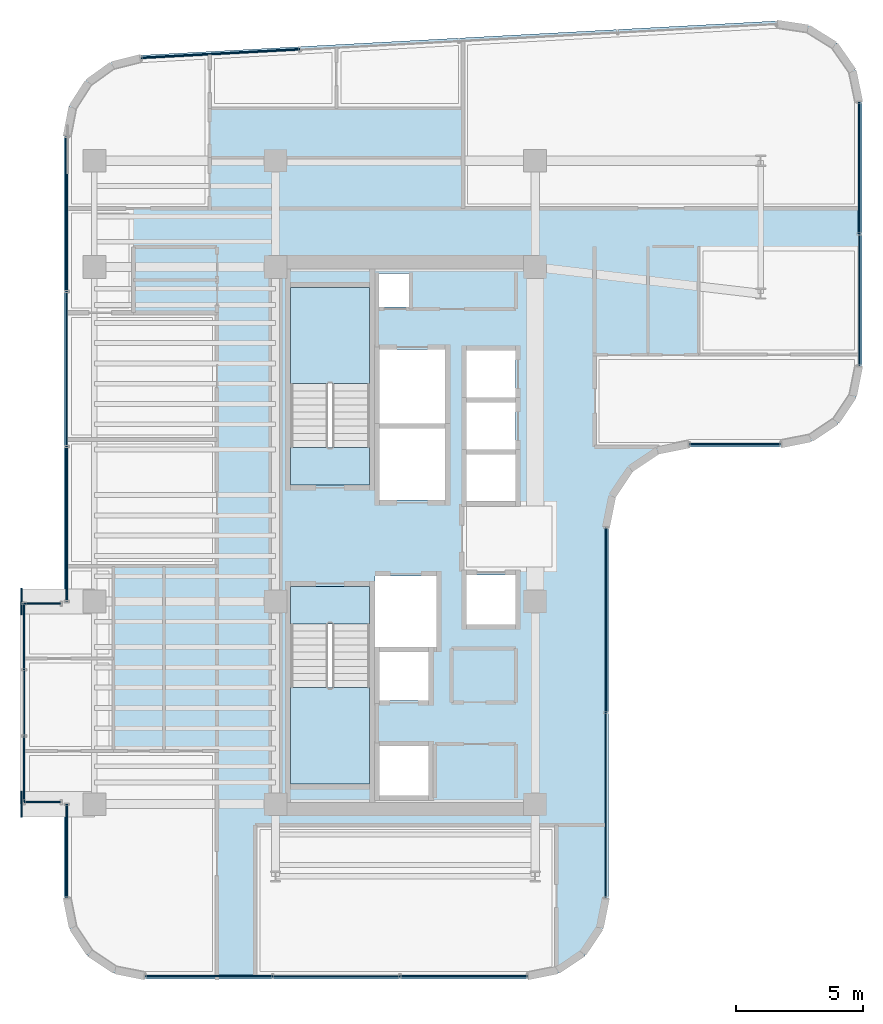
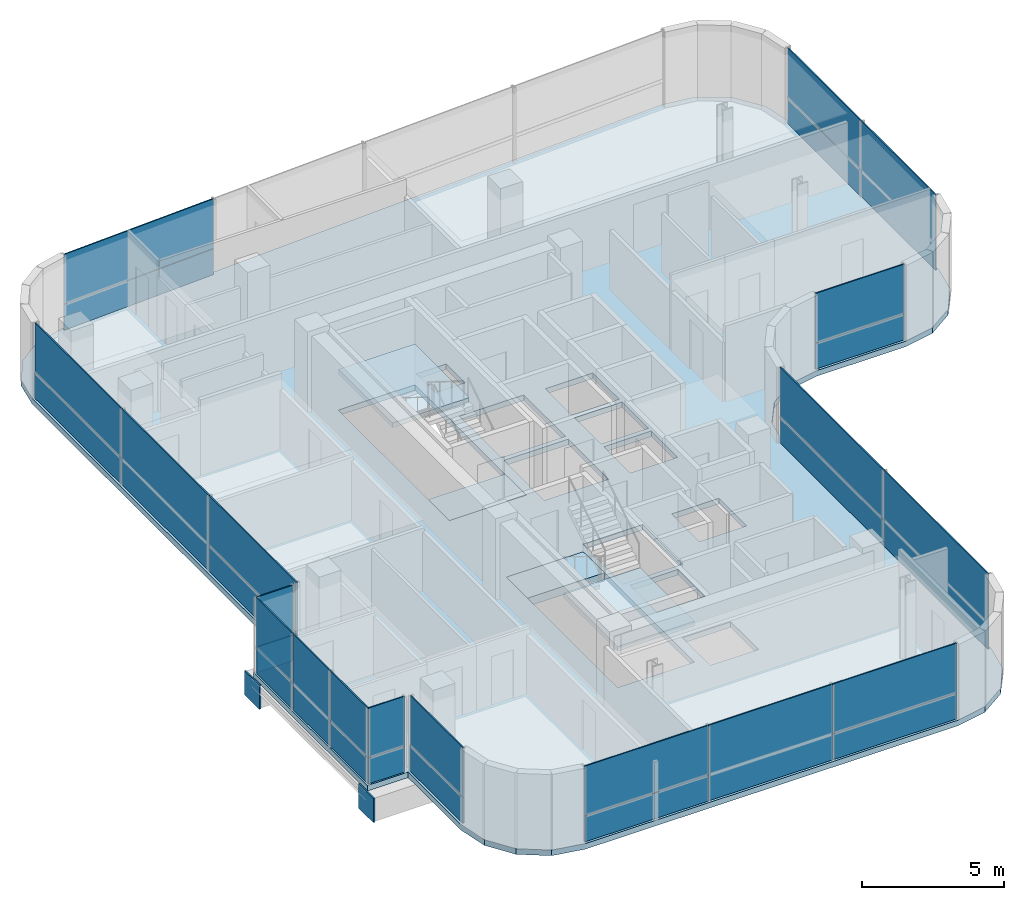
# One storey, part 17 of 24: 33 plates, 5 slabs, 12 elements without a shape of their own.
"""IFC4 building model written with IfcOpenShell, lengths in metres."""

from ifc_helpers import new_model, si_unit, direction, frame, origin, origin_2d, place, context, subcontext, project, spatial, polyline, rectangle, outline, extrude, source, transform, mapped, material, layer, layer_set, type_object, element, aggregate, save


model = new_model("IFC4")

# Units and contexts
model_context = context("Model", 3, precision=1e-05, world=origin(), true_north=direction((0.0, 1.0)))
body_context = subcontext(model_context, "Body", "Model", "MODEL_VIEW")
ifc_project = project(units=[si_unit("LENGTHUNIT", "METRE"), si_unit("AREAUNIT", "SQUARE_METRE"), si_unit("VOLUMEUNIT", "CUBIC_METRE"), si_unit("PLANEANGLEUNIT", "RADIAN"), si_unit("MASSUNIT", "GRAM", prefix="KILO")], contexts=[model_context])

# Site, building, storey
site_placement = place(None, origin())
site = spatial("IfcSite", under=ifc_project, at=site_placement, CompositionType="ELEMENT")
building_placement = place(site_placement, origin())
building = spatial("IfcBuilding", under=site, at=building_placement, Name="Valdorenza Pilgrim Sanctuary Tower", CompositionType="ELEMENT")
storey_placement = place(building_placement, frame((0.0, 0.0, 205.5)))
storey = spatial("IfcBuildingStorey", under=building, at=storey_placement, Name="L52", CompositionType="ELEMENT", Elevation=205.5)

# Slab
ifc_material_1 = material(Name="Concrete C40/50", Category="concrete")
ifc_layer_1 = layer(ifc_material_1, 0.239990234375, Name="Concrete C40/50")
ifc_layer_set_1 = layer_set([ifc_layer_1], Name="Concrete C40/50")
slab_type_1 = type_object("IfcSlabType", Name="SLAB-FLR-220", PredefinedType="FLOOR", material=ifc_layer_set_1)
slab_1_placement = place(storey_placement, frame((0.0, 0.0, -0.239990234375)))
element("IfcSlab", 1, at=slab_1_placement, inside=storey, type_object=slab_type_1, Name="L52 Structural Floor Slab 1", PredefinedType="FLOOR", context=body_context, shape_type="SweptSolid", body=[
    extrude(outline(polyline([(-32.64990234375, -2.60009765625), (-31.0, -2.60009765625), (-31.0, 15.76806640625), (-30.772705078125, 16.95263671875), (-30.122802734375, 17.968994140625), (-29.14306640625, 18.672607421875), (-27.972412109375, 18.96337890625), (-2.872314453125, 20.318115234375), (-1.595947265625, 20.126220703125), (-0.4990234375, 19.445556640625), (0.239501953125, 18.386962890625), (0.5, 17.12255859375), (0.5, 6.699951171875), (0.25634765625, 5.475341796875), (-0.437255859375, 4.437255859375), (-1.475341796875, 3.74365234375), (-2.699951171875, 3.5), (-6.300048828125, 3.5), (-7.524658203125, 3.25634765625), (-8.562744140625, 2.562744140625), (-9.25634765625, 1.524658203125), (-9.5, 0.300048828125), (-9.5, -14.300048828125), (-9.74365234375, -15.524658203125), (-10.437255859375, -16.562744140625), (-11.475341796875, -17.25634765625), (-12.699951171875, -17.5), (-27.800048828125, -17.5), (-29.024658203125, -17.25634765625), (-30.062744140625, -16.562744140625), (-30.75634765625, -15.524658203125), (-31.0, -14.300048828125), (-31.0, -10.60009765625), (-32.64990234375, -10.60009765625), (-32.64990234375, -2.60009765625)]), holes=[polyline([(-16.60009765625, -8.300048828125), (-18.550048828125, -8.300048828125), (-18.550048828125, -10.25), (-16.60009765625, -10.25), (-16.60009765625, -8.300048828125)]), polyline([(-18.93994140625, -9.800048828125), (-18.93994140625, -3.485107421875), (-18.93994140625, -2.0), (-22.050048828125, -2.0), (-22.050048828125, -3.485107421875), (-22.050048828125, -9.800048828125), (-18.93994140625, -9.800048828125)]), polyline([(-16.60009765625, -6.5), (-16.60009765625, -4.60009765625), (-18.550048828125, -4.60009765625), (-18.550048828125, -6.5), (-16.60009765625, -6.5)]), polyline([(-22.050048828125, 2.0), (-18.93994140625, 2.0), (-18.93994140625, 3.485107421875), (-18.93994140625, 9.800048828125), (-22.050048828125, 9.800048828125), (-22.050048828125, 3.485107421875), (-22.050048828125, 2.0)]), polyline([(-17.360107421875, 9.030029296875), (-17.360107421875, 10.35009765625), (-18.570068359375, 10.35009765625), (-18.570068359375, 9.030029296875), (-17.360107421875, 9.030029296875)]), polyline([(-16.300048828125, -1.60009765625), (-18.719970703125, -1.60009765625), (-18.719970703125, -4.39990234375), (-16.300048828125, -4.39990234375), (-16.300048828125, -1.60009765625)]), polyline([(-13.179931640625, -3.5), (-13.179931640625, -1.550048828125), (-15.10009765625, -1.550048828125), (-15.10009765625, -3.5), (-13.179931640625, -3.5)]), polyline([(-13.179931640625, 1.35009765625), (-13.179931640625, 3.199951171875), (-15.10009765625, 3.199951171875), (-15.10009765625, 1.35009765625), (-13.179931640625, 1.35009765625)]), polyline([(-15.949951171875, 1.39990234375), (-15.949951171875, 4.22509765625), (-18.550048828125, 4.22509765625), (-18.550048828125, 1.39990234375), (-15.949951171875, 1.39990234375)]), polyline([(-13.179931640625, 3.39990234375), (-13.179931640625, 5.25), (-15.10009765625, 5.25), (-15.10009765625, 3.39990234375), (-13.179931640625, 3.39990234375)]), polyline([(-15.949951171875, 4.425048828125), (-15.949951171875, 7.35009765625), (-18.550048828125, 7.35009765625), (-18.550048828125, 4.425048828125), (-15.949951171875, 4.425048828125)]), polyline([(-13.179931640625, 5.449951171875), (-13.179931640625, 7.300048828125), (-15.10009765625, 7.300048828125), (-15.10009765625, 5.449951171875), (-13.179931640625, 5.449951171875)])]), origin(), (0.0, 0.0, 1.0), 0.239990234375),
])

# Stair, slab
stair_type = type_object("IfcStairType", Name="STR-DOG-CORE", PredefinedType="HALF_TURN_STAIR", material=ifc_material_1)
stair_1_placement = place(storey_placement, origin())
stair_1 = element("IfcStair", 2, at=stair_1_placement, inside=storey, type_object=stair_type, Name="L52 ST-A1", PredefinedType="HALF_TURN_STAIR")
ifc_layer_2 = layer(ifc_material_1, 0.199951171875, Name="Concrete C40/50")
ifc_layer_set_2 = layer_set([ifc_layer_2], Name="Concrete C40/50")
slab_type_2 = type_object("IfcSlabType", Name="SLAB-STL-200", PredefinedType="LANDING", material=ifc_layer_set_2)
slab_2_placement = place(storey_placement, frame((0.0, 0.0, 1.550048828125)))
slab_2 = element("IfcSlab", 3, at=slab_2_placement, type_object=slab_type_2, Name="ST-A1 landing 1", PredefinedType="LANDING", context=body_context, shape_type="SweptSolid", body=[
    extrude(outline(polyline([(-18.93994140625, 6.0), (-18.93994140625, 9.800048828125), (-22.050048828125, 9.800048828125), (-22.050048828125, 6.0), (-18.93994140625, 6.0)])), origin(), (0.0, 0.0, 1.0), 0.199951171875),
])
aggregate(stair_1, [slab_2])

stair_2_placement = place(storey_placement, origin())
stair_2 = element("IfcStair", 4, at=stair_2_placement, inside=storey, type_object=stair_type, Name="L52 ST-A2", PredefinedType="HALF_TURN_STAIR")
slab_3_placement = place(storey_placement, frame((0.0, 0.0, 1.550048828125)))
slab_3 = element("IfcSlab", 5, at=slab_3_placement, type_object=slab_type_2, Name="ST-A2 landing 1", PredefinedType="LANDING", context=body_context, shape_type="SweptSolid", body=[
    extrude(outline(polyline([(-22.050048828125, -6.0), (-22.050048828125, -9.800048828125), (-18.93994140625, -9.800048828125), (-18.93994140625, -6.0), (-22.050048828125, -6.0)])), origin(), (0.0, 0.0, 1.0), 0.199951171875),
])
aggregate(stair_2, [slab_3])

# Slabs
ifc_material_2 = material(Name="Concrete C50/60", Category="concrete")
ifc_layer_3 = layer(ifc_material_2, 0.39990234375, Name="Concrete C50/60")
ifc_layer_set_3 = layer_set([ifc_layer_3], Name="Concrete C50/60")
slab_type_3 = type_object("IfcSlabType", Name="SLAB-TRF-400", PredefinedType="FLOOR", material=ifc_layer_set_3)
slab_4_placement = place(storey_placement, frame((0.0, 0.0, -0.360107421875)))
element("IfcSlab", 6, at=slab_4_placement, inside=storey, type_object=slab_type_3, Name="L52 ST-A1 Structural Stair Landing Bearing Slab", PredefinedType="FLOOR", context=body_context, shape_type="SweptSolid", body=[
    extrude(outline(polyline([(-22.050048828125, 2.0), (-18.93994140625, 2.0), (-18.93994140625, 3.485107421875), (-22.050048828125, 3.485107421875), (-22.050048828125, 2.0)])), origin(), (0.0, 0.0, 1.0), 0.360107421875),
])
slab_5_placement = place(storey_placement, frame((0.0, 0.0, -0.360107421875)))
element("IfcSlab", 7, at=slab_5_placement, inside=storey, type_object=slab_type_3, Name="L52 ST-A2 Structural Stair Landing Bearing Slab", PredefinedType="FLOOR", context=body_context, shape_type="SweptSolid", body=[
    extrude(outline(polyline([(-22.050048828125, -3.485107421875), (-18.93994140625, -3.485107421875), (-18.93994140625, -2.0), (-22.050048828125, -2.0), (-22.050048828125, -3.485107421875)])), origin(), (0.0, 0.0, 1.0), 0.360107421875),
])

# Plates
ifc_material_3 = material(Name="Steel ASTM A572 Grade 42", Category="steel")
ifc_layer_4 = layer(ifc_material_3, 0.06005859375, Name="Steel ASTM A572 Grade 42")
ifc_layer_set_4 = layer_set([ifc_layer_4], Name="Steel ASTM A572 Grade 42")
plate_type_1 = type_object("IfcPlateType", Name="PLT-CAP-60", PredefinedType="SHEET", material=ifc_layer_set_4)
shared_shape_1 = source(origin(), body_context, "Body", "SweptSolid", [
    extrude(rectangle(XDim=0.06005859375, YDim=1.0400390625, at=origin_2d()), origin(), (0.0, 0.0, 1.0), 1.0400390625),
])
for number, where, z_axis, x_axis, name in (
    (8, (-32.679931640625, -2.60009765625, -1.260009765625), (0.0, 0.0, 1.0), (1.0, 0.0, 0.0), "L52 BOX-WA-L52 Cantilever Tip End Cap N"),
    (9, (-32.679931640625, -10.60009765625, -1.260009765625), (0.0, 0.0, 1.0), (1.0, 0.0, 0.0), "L52 BOX-WA-L52 Cantilever Tip End Cap S"),
):
    element("IfcPlate", number, at=place(storey_placement, frame(where, z_axis=z_axis, x_axis=x_axis)), inside=storey, type_object=plate_type_1, Name=name, PredefinedType="SHEET", context=body_context, shape_type="MappedRepresentation", body=[
        mapped(shared_shape_1, transform((0.0, 0.0, 0.0), x_axis=(1.0, 0.0, 0.0), y_axis=(0.0, 1.0, 0.0), z_axis=(0.0, 0.0, 1.0), scale=1.0)),
    ])

# Curtain wall, plate
ifc_material_4 = material(Name="Curtain-wall IGU glazing", Category="glass")
curtain_wall_type = type_object("IfcCurtainWallType", Name="CW-SYS-02", PredefinedType="NOTDEFINED", material=ifc_material_4)
curtain_wall_1_placement = place(storey_placement, origin())
curtain_wall_1 = element("IfcCurtainWall", 10, at=curtain_wall_1_placement, inside=storey, type_object=curtain_wall_type, Name="L52 Curtain Wall CW-L52-BOX-WA-L52-S", PredefinedType="NOTDEFINED")
ifc_material_5 = material(Name="Honed travertine limestone", Category="masonry")
ifc_layer_5 = layer(ifc_material_5, 0.050048828125, Name="Honed travertine limestone")
ifc_layer_set_5 = layer_set([ifc_layer_5], Name="Honed travertine limestone")
plate_type_2 = type_object("IfcPlateType", Name="CW-SPN-TRV", PredefinedType="USERDEFINED", material=ifc_layer_set_5)
shared_shape_2 = source(origin(), body_context, "Body", "SweptSolid", [
    extrude(rectangle(XDim=1.43994140625, YDim=0.06005859375, at=origin_2d()), origin(), (0.0, 0.0, 1.0), 1.10009765625),
])
plate_1_placement = place(storey_placement, frame((-31.840087890625, -10.52001953125, 0.010009765625), z_axis=(0.0, 0.0, 1.0), x_axis=(-1.0, 0.0, 0.0)))
plate_1 = element("IfcPlate", 11, at=plate_1_placement, type_object=plate_type_2, Name="CW-L52-BOX-WA-L52-S Travertine Spandrel 1", ObjectType="SPANDREL", PredefinedType="USERDEFINED", context=body_context, shape_type="MappedRepresentation", body=[
    mapped(shared_shape_2, transform((0.0, 0.0, 0.0), x_axis=(1.0, 0.0, 0.0), y_axis=(0.0, 1.0, 0.0), z_axis=(0.0, 0.0, 1.0), scale=1.0)),
])

curtain_wall_2_placement = place(storey_placement, origin())
curtain_wall_2 = element("IfcCurtainWall", 12, at=curtain_wall_2_placement, inside=storey, type_object=curtain_wall_type, Name="L52 Curtain Wall CW-L52-BOX-WA-L52-N", PredefinedType="NOTDEFINED")
plate_2_placement = place(storey_placement, frame((-31.840087890625, -2.679931640625, 0.010009765625), z_axis=(0.0, 0.0, 1.0), x_axis=(1.0, 0.0, 0.0)))
plate_2 = element("IfcPlate", 13, at=plate_2_placement, type_object=plate_type_2, Name="CW-L52-BOX-WA-L52-N Travertine Spandrel 1", ObjectType="SPANDREL", PredefinedType="USERDEFINED", context=body_context, shape_type="MappedRepresentation", body=[
    mapped(shared_shape_2, transform((0.0, 0.0, 0.0), x_axis=(1.0, 0.0, 0.0), y_axis=(0.0, 1.0, 0.0), z_axis=(0.0, 0.0, 1.0), scale=1.0)),
])

# Curtain wall, plates
curtain_wall_3_placement = place(storey_placement, origin())
curtain_wall_3 = element("IfcCurtainWall", 14, at=curtain_wall_3_placement, inside=storey, type_object=curtain_wall_type, Name="L52 Curtain Wall CW-L52-BOX-WA-L52-F", PredefinedType="NOTDEFINED")
shared_shape_3 = source(origin(), body_context, "Body", "SweptSolid", [
    extrude(rectangle(XDim=2.59326171875, YDim=0.06005859375, at=origin_2d()), origin(), (0.0, 0.0, 1.0), 1.10009765625),
])
plate_3_placement = place(storey_placement, frame((-32.570068359375, -9.21337890625, 0.010009765625), z_axis=(0.0, 0.0, 1.0), x_axis=(0.0, 1.0, 0.0)))
plate_3 = element("IfcPlate", 15, at=plate_3_placement, type_object=plate_type_2, Name="CW-L52-BOX-WA-L52-F Travertine Spandrel 1", ObjectType="SPANDREL", PredefinedType="USERDEFINED", context=body_context, shape_type="MappedRepresentation", body=[
    mapped(shared_shape_3, transform((0.0, 0.0, 0.0), x_axis=(1.0, 0.0, 0.0), y_axis=(0.0, 1.0, 0.0), z_axis=(0.0, 0.0, 1.0), scale=1.0)),
])
plate_4_placement = place(storey_placement, frame((-32.570068359375, -3.98681640625, 0.010009765625), z_axis=(0.0, 0.0, 1.0), x_axis=(0.0, 1.0, 0.0)))
plate_4 = element("IfcPlate", 16, at=plate_4_placement, type_object=plate_type_2, Name="CW-L52-BOX-WA-L52-F Travertine Spandrel 3", ObjectType="SPANDREL", PredefinedType="USERDEFINED", context=body_context, shape_type="MappedRepresentation", body=[
    mapped(shared_shape_3, transform((0.0, 0.0, 0.0), x_axis=(1.0, 0.0, 0.0), y_axis=(0.0, 1.0, 0.0), z_axis=(0.0, 0.0, 1.0), scale=1.0)),
])

curtain_wall_4_placement = place(storey_placement, origin())
curtain_wall_4 = element("IfcCurtainWall", 17, at=curtain_wall_4_placement, inside=storey, type_object=curtain_wall_type, Name="L52 Curtain Wall CW-L52-1-26", PredefinedType="NOTDEFINED")
shared_shape_4 = source(origin(), body_context, "Body", "SweptSolid", [
    extrude(rectangle(XDim=5.006103515625, YDim=0.06005859375, at=origin_2d()), origin(), (0.0, 0.0, 1.0), 1.10009765625),
])
plate_5_placement = place(storey_placement, frame((-15.223876953125, -17.389892578125, 0.010009765625), z_axis=(0.0, 0.0, 1.0), x_axis=(-1.0, 0.0, 0.0)))
plate_5 = element("IfcPlate", 18, at=plate_5_placement, type_object=plate_type_2, Name="CW-L52-1-26 Travertine Spandrel 1", ObjectType="SPANDREL", PredefinedType="USERDEFINED", context=body_context, shape_type="MappedRepresentation", body=[
    mapped(shared_shape_4, transform((0.0, 0.0, 0.0), x_axis=(1.0, 0.0, 0.0), y_axis=(0.0, 1.0, 0.0), z_axis=(0.0, 0.0, 1.0), scale=1.0)),
])
plate_6_placement = place(storey_placement, frame((-25.276123046875, -17.389892578125, 0.010009765625), z_axis=(0.0, 0.0, 1.0), x_axis=(-1.0, 0.0, 0.0)))
plate_6 = element("IfcPlate", 19, at=plate_6_placement, type_object=plate_type_2, Name="CW-L52-1-26 Travertine Spandrel 3", ObjectType="SPANDREL", PredefinedType="USERDEFINED", context=body_context, shape_type="MappedRepresentation", body=[
    mapped(shared_shape_4, transform((0.0, 0.0, 0.0), x_axis=(1.0, 0.0, 0.0), y_axis=(0.0, 1.0, 0.0), z_axis=(0.0, 0.0, 1.0), scale=1.0)),
])

# Curtain wall, plate
curtain_wall_5_placement = place(storey_placement, origin())
curtain_wall_5 = element("IfcCurtainWall", 20, at=curtain_wall_5_placement, inside=storey, type_object=curtain_wall_type, Name="L52 Curtain Wall CW-L52-1-1S1", PredefinedType="NOTDEFINED")
shared_shape_5 = source(origin(), body_context, "Body", "SweptSolid", [
    extrude(rectangle(XDim=3.669189453125, YDim=0.06005859375, at=origin_2d()), origin(), (0.0, 0.0, 1.0), 1.10009765625),
])
plate_7_placement = place(storey_placement, frame((-30.889892578125, -12.444580078125, 0.010009765625), z_axis=(0.0, 0.0, 1.0), x_axis=(0.0, 1.0, 0.0)))
plate_7 = element("IfcPlate", 21, at=plate_7_placement, type_object=plate_type_2, Name="CW-L52-1-1S1 Travertine Spandrel 1", ObjectType="SPANDREL", PredefinedType="USERDEFINED", context=body_context, shape_type="MappedRepresentation", body=[
    mapped(shared_shape_5, transform((0.0, 0.0, 0.0), x_axis=(1.0, 0.0, 0.0), y_axis=(0.0, 1.0, 0.0), z_axis=(0.0, 0.0, 1.0), scale=1.0)),
])

curtain_wall_6_placement = place(storey_placement, origin())
curtain_wall_6 = element("IfcCurtainWall", 22, at=curtain_wall_6_placement, inside=storey, type_object=curtain_wall_type, Name="L52 Curtain Wall CW-L52-1-6", PredefinedType="NOTDEFINED")
shared_shape_6 = source(origin(), body_context, "Body", "SweptSolid", [
    extrude(rectangle(XDim=6.2587890625, YDim=0.06005859375, at=origin_2d()), origin(), (0.0, 0.0, 1.0), 1.10009765625),
])
plate_8_placement = place(storey_placement, frame((-24.8212890625, 19.023193359375, 0.010009765625), z_axis=(0.0, 0.0, 1.0), x_axis=(0.998547034311, 0.053887106711, 0.0)))
plate_8 = element("IfcPlate", 23, at=plate_8_placement, type_object=plate_type_2, Name="CW-L52-1-6 Travertine Spandrel 1", ObjectType="SPANDREL", PredefinedType="USERDEFINED", context=body_context, shape_type="MappedRepresentation", body=[
    mapped(shared_shape_6, transform((0.0, 0.0, 0.0), x_axis=(1.0, 0.0, 0.0), y_axis=(0.0, 1.0, 0.0), z_axis=(0.0, 0.0, 1.0), scale=1.0)),
])

curtain_wall_7_placement = place(storey_placement, origin())
curtain_wall_7 = element("IfcCurtainWall", 24, at=curtain_wall_7_placement, inside=storey, type_object=curtain_wall_type, Name="L52 Curtain Wall CW-L52-1-16", PredefinedType="NOTDEFINED")
shared_shape_7 = source(origin(), body_context, "Body", "SweptSolid", [
    extrude(rectangle(XDim=3.580078125, YDim=0.06005859375, at=origin_2d()), origin(), (0.0, 0.0, 1.0), 1.10009765625),
])
plate_9_placement = place(storey_placement, frame((-4.5107421875, 3.610107421875, 0.010009765625), z_axis=(0.0, 0.0, 1.0), x_axis=(-1.0, 0.0, 0.0)))
plate_9 = element("IfcPlate", 25, at=plate_9_placement, type_object=plate_type_2, Name="CW-L52-1-16 Travertine Spandrel 1", ObjectType="SPANDREL", PredefinedType="USERDEFINED", context=body_context, shape_type="MappedRepresentation", body=[
    mapped(shared_shape_7, transform((0.0, 0.0, 0.0), x_axis=(1.0, 0.0, 0.0), y_axis=(0.0, 1.0, 0.0), z_axis=(0.0, 0.0, 1.0), scale=1.0)),
])

curtain_wall_8_placement = place(storey_placement, origin())
curtain_wall_8 = element("IfcCurtainWall", 26, at=curtain_wall_8_placement, inside=storey, type_object=curtain_wall_type, Name="L52 Curtain Wall CW-L52-1-21", PredefinedType="NOTDEFINED")
shared_shape_8 = source(origin(), body_context, "Body", "SweptSolid", [
    extrude(rectangle(XDim=7.280029296875, YDim=0.06005859375, at=origin_2d()), origin(), (0.0, 0.0, 1.0), 1.10009765625),
])
plate_10_placement = place(storey_placement, frame((-9.610107421875, -3.339111328125, 0.010009765625), z_axis=(0.0, 0.0, 1.0), x_axis=(0.0, -1.0, 0.0)))
plate_10 = element("IfcPlate", 27, at=plate_10_placement, type_object=plate_type_2, Name="CW-L52-1-21 Travertine Spandrel 1", ObjectType="SPANDREL", PredefinedType="USERDEFINED", context=body_context, shape_type="MappedRepresentation", body=[
    mapped(shared_shape_8, transform((0.0, 0.0, 0.0), x_axis=(1.0, 0.0, 0.0), y_axis=(0.0, 1.0, 0.0), z_axis=(0.0, 0.0, 1.0), scale=1.0)),
])

curtain_wall_9_placement = place(storey_placement, origin())
curtain_wall_9 = element("IfcCurtainWall", 28, at=curtain_wall_9_placement, inside=storey, type_object=curtain_wall_type, Name="L52 Curtain Wall CW-L52-1-11", PredefinedType="NOTDEFINED")
shared_shape_9 = source(origin(), body_context, "Body", "SweptSolid", [
    extrude(rectangle(XDim=5.180419921875, YDim=0.06005859375, at=origin_2d()), origin(), (0.0, 0.0, 1.0), 1.10009765625),
])
plate_11_placement = place(storey_placement, frame((0.389892578125, 14.51123046875, 0.010009765625), z_axis=(0.0, 0.0, 1.0), x_axis=(0.0, -1.0, 0.0)))
plate_11 = element("IfcPlate", 29, at=plate_11_placement, type_object=plate_type_2, Name="CW-L52-1-11 Travertine Spandrel 1", ObjectType="SPANDREL", PredefinedType="USERDEFINED", context=body_context, shape_type="MappedRepresentation", body=[
    mapped(shared_shape_9, transform((0.0, 0.0, 0.0), x_axis=(1.0, 0.0, 0.0), y_axis=(0.0, 1.0, 0.0), z_axis=(0.0, 0.0, 1.0), scale=1.0)),
])

# Plate
ifc_material_6 = material(Name="Ceramic-fritted low-E IGU glazing", Category="glass")
ifc_layer_6 = layer(ifc_material_6, 0.035888671875, Name="Ceramic-fritted low-E IGU glazing")
ifc_layer_set_6 = layer_set([ifc_layer_6], Name="Ceramic-fritted low-E IGU glazing")
plate_type_3 = type_object("IfcPlateType", Name="CW-GLZ-IGU", PredefinedType="USERDEFINED", material=ifc_layer_set_6)
shared_shape_10 = source(origin(), body_context, "Body", "SweptSolid", [
    extrude(rectangle(XDim=3.669189453125, YDim=0.050048828125, at=origin_2d()), origin(), (0.0, 0.0, 1.0), 2.1201171875),
])
plate_12_placement = place(storey_placement, frame((-30.889892578125, -12.444580078125, 1.1298828125), z_axis=(0.0, 0.0, 1.0), x_axis=(0.0, 1.0, 0.0)))
plate_12 = element("IfcPlate", 30, at=plate_12_placement, type_object=plate_type_3, Name="CW-L52-1-1S1 Facade Panel 1", ObjectType="GLAZING", PredefinedType="USERDEFINED", context=body_context, shape_type="MappedRepresentation", body=[
    mapped(shared_shape_10, transform((0.0, 0.0, 0.0), x_axis=(1.0, 0.0, 0.0), y_axis=(0.0, 1.0, 0.0), z_axis=(0.0, 0.0, 1.0), scale=1.0)),
])

aggregate(curtain_wall_5, [plate_7, plate_12])

# Curtain wall, plates
curtain_wall_10_placement = place(storey_placement, origin())
curtain_wall_10 = element("IfcCurtainWall", 31, at=curtain_wall_10_placement, inside=storey, type_object=curtain_wall_type, Name="L52 Curtain Wall CW-L52-1-1S2", PredefinedType="NOTDEFINED")
shared_shape_11 = source(origin(), body_context, "Body", "SweptSolid", [
    extrude(rectangle(XDim=6.09912109375, YDim=0.06005859375, at=origin_2d()), origin(), (0.0, 0.0, 1.0), 1.10009765625),
])
plate_13_placement = place(storey_placement, frame((-30.889892578125, 0.459716796875, 0.010009765625), z_axis=(0.0, 0.0, 1.0), x_axis=(0.0, 1.0, 0.0)))
plate_13 = element("IfcPlate", 32, at=plate_13_placement, type_object=plate_type_2, Name="CW-L52-1-1S2 Travertine Spandrel 1", ObjectType="SPANDREL", PredefinedType="USERDEFINED", context=body_context, shape_type="MappedRepresentation", body=[
    mapped(shared_shape_11, transform((0.0, 0.0, 0.0), x_axis=(1.0, 0.0, 0.0), y_axis=(0.0, 1.0, 0.0), z_axis=(0.0, 0.0, 1.0), scale=1.0)),
])
plate_14_placement = place(storey_placement, frame((-30.889892578125, 12.697998046875, 0.010009765625), z_axis=(0.0, 0.0, 1.0), x_axis=(0.0, 1.0, 0.0)))
plate_14 = element("IfcPlate", 33, at=plate_14_placement, type_object=plate_type_2, Name="CW-L52-1-1S2 Travertine Spandrel 3", ObjectType="SPANDREL", PredefinedType="USERDEFINED", context=body_context, shape_type="MappedRepresentation", body=[
    mapped(shared_shape_11, transform((0.0, 0.0, 0.0), x_axis=(1.0, 0.0, 0.0), y_axis=(0.0, 1.0, 0.0), z_axis=(0.0, 0.0, 1.0), scale=1.0)),
])
shared_shape_12 = source(origin(), body_context, "Body", "SweptSolid", [
    extrude(rectangle(XDim=6.09912109375, YDim=0.050048828125, at=origin_2d()), origin(), (0.0, 0.0, 1.0), 2.1201171875),
])
plate_15_placement = place(storey_placement, frame((-30.889892578125, 0.459716796875, 1.1298828125), z_axis=(0.0, 0.0, 1.0), x_axis=(0.0, 1.0, 0.0)))
plate_15 = element("IfcPlate", 34, at=plate_15_placement, type_object=plate_type_3, Name="CW-L52-1-1S2 Facade Panel 1", ObjectType="GLAZING", PredefinedType="USERDEFINED", context=body_context, shape_type="MappedRepresentation", body=[
    mapped(shared_shape_12, transform((0.0, 0.0, 0.0), x_axis=(1.0, 0.0, 0.0), y_axis=(0.0, 1.0, 0.0), z_axis=(0.0, 0.0, 1.0), scale=1.0)),
])
plate_16_placement = place(storey_placement, frame((-30.889892578125, 12.697998046875, 1.1298828125), z_axis=(0.0, 0.0, 1.0), x_axis=(0.0, 1.0, 0.0)))
plate_16 = element("IfcPlate", 35, at=plate_16_placement, type_object=plate_type_3, Name="CW-L52-1-1S2 Facade Panel 3", ObjectType="GLAZING", PredefinedType="USERDEFINED", context=body_context, shape_type="MappedRepresentation", body=[
    mapped(shared_shape_12, transform((0.0, 0.0, 0.0), x_axis=(1.0, 0.0, 0.0), y_axis=(0.0, 1.0, 0.0), z_axis=(0.0, 0.0, 1.0), scale=1.0)),
])
shared_shape_13 = source(origin(), body_context, "Body", "SweptSolid", [
    extrude(rectangle(XDim=6.09912109375, YDim=0.050048828125, at=origin_2d()), origin(), (0.0, 0.0, 1.0), 3.239990234375),
])
plate_17_placement = place(storey_placement, frame((-30.889892578125, 6.578857421875, 0.009765625), z_axis=(0.0, 0.0, 1.0), x_axis=(0.0, 1.0, 0.0)))
plate_17 = element("IfcPlate", 36, at=plate_17_placement, type_object=plate_type_3, Name="CW-L52-1-1S2 Full-Height Facade Panel 2", ObjectType="GLAZING", PredefinedType="USERDEFINED", context=body_context, shape_type="MappedRepresentation", body=[
    mapped(shared_shape_13, transform((0.0, 0.0, 0.0), x_axis=(1.0, 0.0, 0.0), y_axis=(0.0, 1.0, 0.0), z_axis=(0.0, 0.0, 1.0), scale=1.0)),
])
aggregate(curtain_wall_10, [plate_13, plate_15, plate_17, plate_14, plate_16])

# Plate
shared_shape_14 = source(origin(), body_context, "Body", "SweptSolid", [
    extrude(rectangle(XDim=6.2587890625, YDim=0.050048828125, at=origin_2d()), origin(), (0.0, 0.0, 1.0), 2.1201171875),
])
plate_18_placement = place(storey_placement, frame((-24.8212890625, 19.023193359375, 1.1298828125), z_axis=(0.0, 0.0, 1.0), x_axis=(0.998547034311, 0.053887106711, 0.0)))
plate_18 = element("IfcPlate", 37, at=plate_18_placement, type_object=plate_type_3, Name="CW-L52-1-6 Facade Panel 1", ObjectType="GLAZING", PredefinedType="USERDEFINED", context=body_context, shape_type="MappedRepresentation", body=[
    mapped(shared_shape_14, transform((0.0, 0.0, 0.0), x_axis=(1.0, 0.0, 0.0), y_axis=(0.0, 1.0, 0.0), z_axis=(0.0, 0.0, 1.0), scale=1.0)),
])

aggregate(curtain_wall_6, [plate_8, plate_18])

shared_shape_15 = source(origin(), body_context, "Body", "SweptSolid", [
    extrude(rectangle(XDim=5.180419921875, YDim=0.050048828125, at=origin_2d()), origin(), (0.0, 0.0, 1.0), 2.1201171875),
])
plate_19_placement = place(storey_placement, frame((0.389892578125, 14.51123046875, 1.1298828125), z_axis=(0.0, 0.0, 1.0), x_axis=(0.0, -1.0, 0.0)))
plate_19 = element("IfcPlate", 38, at=plate_19_placement, type_object=plate_type_3, Name="CW-L52-1-11 Facade Panel 1", ObjectType="GLAZING", PredefinedType="USERDEFINED", context=body_context, shape_type="MappedRepresentation", body=[
    mapped(shared_shape_15, transform((0.0, 0.0, 0.0), x_axis=(1.0, 0.0, 0.0), y_axis=(0.0, 1.0, 0.0), z_axis=(0.0, 0.0, 1.0), scale=1.0)),
])

shared_shape_16 = source(origin(), body_context, "Body", "SweptSolid", [
    extrude(rectangle(XDim=5.180419921875, YDim=0.050048828125, at=origin_2d()), origin(), (0.0, 0.0, 1.0), 3.239990234375),
])
plate_20_placement = place(storey_placement, frame((0.389892578125, 9.310791015625, 0.009765625), z_axis=(0.0, 0.0, 1.0), x_axis=(0.0, -1.0, 0.0)))
plate_20 = element("IfcPlate", 39, at=plate_20_placement, type_object=plate_type_3, Name="CW-L52-1-11 Full-Height Facade Panel 2", ObjectType="GLAZING", PredefinedType="USERDEFINED", context=body_context, shape_type="MappedRepresentation", body=[
    mapped(shared_shape_16, transform((0.0, 0.0, 0.0), x_axis=(1.0, 0.0, 0.0), y_axis=(0.0, 1.0, 0.0), z_axis=(0.0, 0.0, 1.0), scale=1.0)),
])

aggregate(curtain_wall_9, [plate_11, plate_19, plate_20])

shared_shape_17 = source(origin(), body_context, "Body", "SweptSolid", [
    extrude(rectangle(XDim=3.580078125, YDim=0.050048828125, at=origin_2d()), origin(), (0.0, 0.0, 1.0), 2.1201171875),
])
plate_21_placement = place(storey_placement, frame((-4.5107421875, 3.610107421875, 1.1298828125), z_axis=(0.0, 0.0, 1.0), x_axis=(-1.0, 0.0, 0.0)))
plate_21 = element("IfcPlate", 40, at=plate_21_placement, type_object=plate_type_3, Name="CW-L52-1-16 Facade Panel 1", ObjectType="GLAZING", PredefinedType="USERDEFINED", context=body_context, shape_type="MappedRepresentation", body=[
    mapped(shared_shape_17, transform((0.0, 0.0, 0.0), x_axis=(1.0, 0.0, 0.0), y_axis=(0.0, 1.0, 0.0), z_axis=(0.0, 0.0, 1.0), scale=1.0)),
])

aggregate(curtain_wall_7, [plate_9, plate_21])

shared_shape_18 = source(origin(), body_context, "Body", "SweptSolid", [
    extrude(rectangle(XDim=7.280029296875, YDim=0.050048828125, at=origin_2d()), origin(), (0.0, 0.0, 1.0), 2.1201171875),
])
plate_22_placement = place(storey_placement, frame((-9.610107421875, -3.339111328125, 1.1298828125), z_axis=(0.0, 0.0, 1.0), x_axis=(0.0, -1.0, 0.0)))
plate_22 = element("IfcPlate", 41, at=plate_22_placement, type_object=plate_type_3, Name="CW-L52-1-21 Facade Panel 1", ObjectType="GLAZING", PredefinedType="USERDEFINED", context=body_context, shape_type="MappedRepresentation", body=[
    mapped(shared_shape_18, transform((0.0, 0.0, 0.0), x_axis=(1.0, 0.0, 0.0), y_axis=(0.0, 1.0, 0.0), z_axis=(0.0, 0.0, 1.0), scale=1.0)),
])

shared_shape_19 = source(origin(), body_context, "Body", "SweptSolid", [
    extrude(rectangle(XDim=7.280029296875, YDim=0.050048828125, at=origin_2d()), origin(), (0.0, 0.0, 1.0), 3.239990234375),
])
plate_23_placement = place(storey_placement, frame((-9.610107421875, -10.63916015625, 0.009765625), z_axis=(0.0, 0.0, 1.0), x_axis=(0.0, -1.0, 0.0)))
plate_23 = element("IfcPlate", 42, at=plate_23_placement, type_object=plate_type_3, Name="CW-L52-1-21 Full-Height Facade Panel 2", ObjectType="GLAZING", PredefinedType="USERDEFINED", context=body_context, shape_type="MappedRepresentation", body=[
    mapped(shared_shape_19, transform((0.0, 0.0, 0.0), x_axis=(1.0, 0.0, 0.0), y_axis=(0.0, 1.0, 0.0), z_axis=(0.0, 0.0, 1.0), scale=1.0)),
])

aggregate(curtain_wall_8, [plate_10, plate_22, plate_23])

shared_shape_20 = source(origin(), body_context, "Body", "SweptSolid", [
    extrude(rectangle(XDim=5.006103515625, YDim=0.050048828125, at=origin_2d()), origin(), (0.0, 0.0, 1.0), 2.1201171875),
])
plate_24_placement = place(storey_placement, frame((-15.223876953125, -17.389892578125, 1.1298828125), z_axis=(0.0, 0.0, 1.0), x_axis=(-1.0, 0.0, 0.0)))
plate_24 = element("IfcPlate", 43, at=plate_24_placement, type_object=plate_type_3, Name="CW-L52-1-26 Facade Panel 1", ObjectType="GLAZING", PredefinedType="USERDEFINED", context=body_context, shape_type="MappedRepresentation", body=[
    mapped(shared_shape_20, transform((0.0, 0.0, 0.0), x_axis=(1.0, 0.0, 0.0), y_axis=(0.0, 1.0, 0.0), z_axis=(0.0, 0.0, 1.0), scale=1.0)),
])

plate_25_placement = place(storey_placement, frame((-25.276123046875, -17.389892578125, 1.1298828125), z_axis=(0.0, 0.0, 1.0), x_axis=(-1.0, 0.0, 0.0)))
plate_25 = element("IfcPlate", 44, at=plate_25_placement, type_object=plate_type_3, Name="CW-L52-1-26 Facade Panel 3", ObjectType="GLAZING", PredefinedType="USERDEFINED", context=body_context, shape_type="MappedRepresentation", body=[
    mapped(shared_shape_20, transform((0.0, 0.0, 0.0), x_axis=(1.0, 0.0, 0.0), y_axis=(0.0, 1.0, 0.0), z_axis=(0.0, 0.0, 1.0), scale=1.0)),
])

shared_shape_21 = source(origin(), body_context, "Body", "SweptSolid", [
    extrude(rectangle(XDim=5.006103515625, YDim=0.050048828125, at=origin_2d()), origin(), (0.0, 0.0, 1.0), 3.239990234375),
])
plate_26_placement = place(storey_placement, frame((-20.25, -17.389892578125, 0.009765625), z_axis=(0.0, 0.0, 1.0), x_axis=(-1.0, 0.0, 0.0)))
plate_26 = element("IfcPlate", 45, at=plate_26_placement, type_object=plate_type_3, Name="CW-L52-1-26 Full-Height Facade Panel 2", ObjectType="GLAZING", PredefinedType="USERDEFINED", context=body_context, shape_type="MappedRepresentation", body=[
    mapped(shared_shape_21, transform((0.0, 0.0, 0.0), x_axis=(1.0, 0.0, 0.0), y_axis=(0.0, 1.0, 0.0), z_axis=(0.0, 0.0, 1.0), scale=1.0)),
])

aggregate(curtain_wall_4, [plate_5, plate_24, plate_26, plate_6, plate_25])

shared_shape_22 = source(origin(), body_context, "Body", "SweptSolid", [
    extrude(rectangle(XDim=1.43994140625, YDim=0.050048828125, at=origin_2d()), origin(), (0.0, 0.0, 1.0), 2.1201171875),
])
plate_27_placement = place(storey_placement, frame((-31.840087890625, -10.52001953125, 1.1298828125), z_axis=(0.0, 0.0, 1.0), x_axis=(-1.0, 0.0, 0.0)))
plate_27 = element("IfcPlate", 46, at=plate_27_placement, type_object=plate_type_3, Name="CW-L52-BOX-WA-L52-S Facade Panel 1", ObjectType="GLAZING", PredefinedType="USERDEFINED", context=body_context, shape_type="MappedRepresentation", body=[
    mapped(shared_shape_22, transform((0.0, 0.0, 0.0), x_axis=(1.0, 0.0, 0.0), y_axis=(0.0, 1.0, 0.0), z_axis=(0.0, 0.0, 1.0), scale=1.0)),
])

aggregate(curtain_wall_1, [plate_1, plate_27])

plate_28_placement = place(storey_placement, frame((-31.840087890625, -2.679931640625, 1.1298828125), z_axis=(0.0, 0.0, 1.0), x_axis=(1.0, 0.0, 0.0)))
plate_28 = element("IfcPlate", 47, at=plate_28_placement, type_object=plate_type_3, Name="CW-L52-BOX-WA-L52-N Facade Panel 1", ObjectType="GLAZING", PredefinedType="USERDEFINED", context=body_context, shape_type="MappedRepresentation", body=[
    mapped(shared_shape_22, transform((0.0, 0.0, 0.0), x_axis=(1.0, 0.0, 0.0), y_axis=(0.0, 1.0, 0.0), z_axis=(0.0, 0.0, 1.0), scale=1.0)),
])

aggregate(curtain_wall_2, [plate_2, plate_28])

shared_shape_23 = source(origin(), body_context, "Body", "SweptSolid", [
    extrude(rectangle(XDim=2.59326171875, YDim=0.050048828125, at=origin_2d()), origin(), (0.0, 0.0, 1.0), 2.1201171875),
])
plate_29_placement = place(storey_placement, frame((-32.570068359375, -9.21337890625, 1.1298828125), z_axis=(0.0, 0.0, 1.0), x_axis=(0.0, 1.0, 0.0)))
plate_29 = element("IfcPlate", 48, at=plate_29_placement, type_object=plate_type_3, Name="CW-L52-BOX-WA-L52-F Facade Panel 1", ObjectType="GLAZING", PredefinedType="USERDEFINED", context=body_context, shape_type="MappedRepresentation", body=[
    mapped(shared_shape_23, transform((0.0, 0.0, 0.0), x_axis=(1.0, 0.0, 0.0), y_axis=(0.0, 1.0, 0.0), z_axis=(0.0, 0.0, 1.0), scale=1.0)),
])

plate_30_placement = place(storey_placement, frame((-32.570068359375, -3.98681640625, 1.1298828125), z_axis=(0.0, 0.0, 1.0), x_axis=(0.0, 1.0, 0.0)))
plate_30 = element("IfcPlate", 49, at=plate_30_placement, type_object=plate_type_3, Name="CW-L52-BOX-WA-L52-F Facade Panel 3", ObjectType="GLAZING", PredefinedType="USERDEFINED", context=body_context, shape_type="MappedRepresentation", body=[
    mapped(shared_shape_23, transform((0.0, 0.0, 0.0), x_axis=(1.0, 0.0, 0.0), y_axis=(0.0, 1.0, 0.0), z_axis=(0.0, 0.0, 1.0), scale=1.0)),
])

shared_shape_24 = source(origin(), body_context, "Body", "SweptSolid", [
    extrude(rectangle(XDim=2.59326171875, YDim=0.050048828125, at=origin_2d()), origin(), (0.0, 0.0, 1.0), 3.239990234375),
])
plate_31_placement = place(storey_placement, frame((-32.570068359375, -6.60009765625, 0.009765625), z_axis=(0.0, 0.0, 1.0), x_axis=(0.0, 1.0, 0.0)))
plate_31 = element("IfcPlate", 50, at=plate_31_placement, type_object=plate_type_3, Name="CW-L52-BOX-WA-L52-F Full-Height Facade Panel 2", ObjectType="GLAZING", PredefinedType="USERDEFINED", context=body_context, shape_type="MappedRepresentation", body=[
    mapped(shared_shape_24, transform((0.0, 0.0, 0.0), x_axis=(1.0, 0.0, 0.0), y_axis=(0.0, 1.0, 0.0), z_axis=(0.0, 0.0, 1.0), scale=1.0)),
])

aggregate(curtain_wall_3, [plate_3, plate_29, plate_31, plate_4, plate_30])

save(model, "model.ifc")
